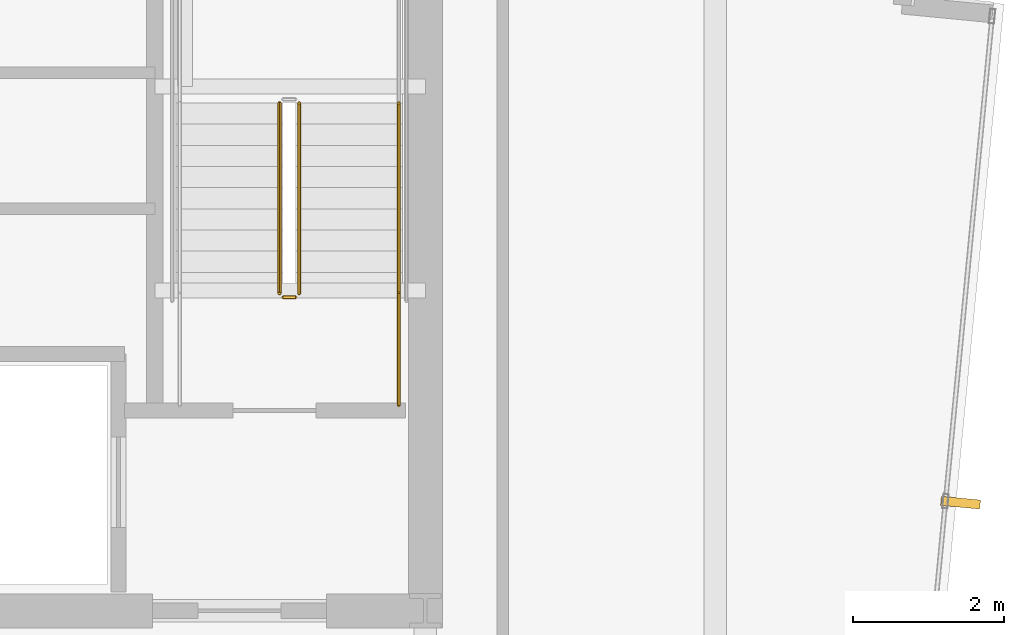
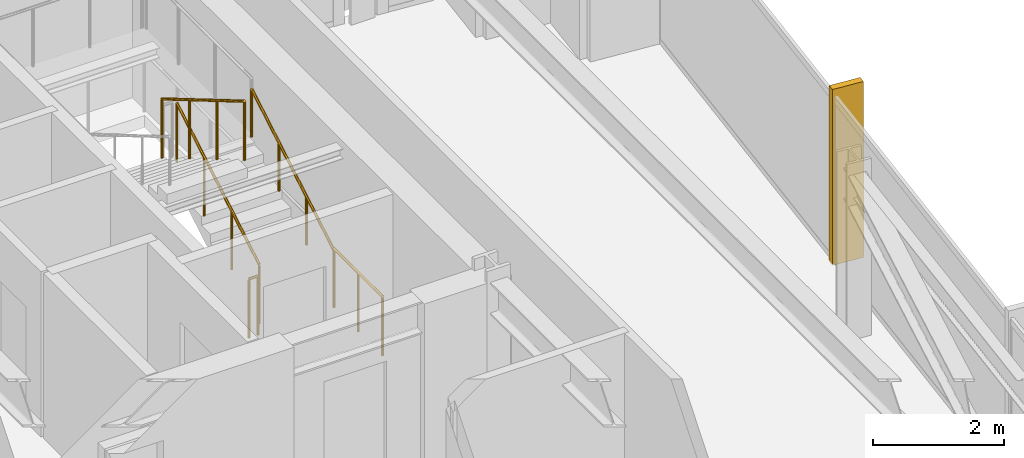
# One storey, part 36 of 38: 5 railings, 1 shading device.
"""IFC4 building model written with IfcOpenShell, lengths in metres."""

from ifc_helpers import new_model, si_unit, direction, frame, origin, origin_2d, place, context, subcontext, project, spatial, rectangle, circle, extrude, material, layer, layer_set, type_object, element, save


model = new_model("IFC4")

# Units and contexts
model_context = context("Model", 3, precision=1e-05, world=origin(), true_north=direction((0.0, 1.0)))
body_context = subcontext(model_context, "Body", "Model", "MODEL_VIEW")
ifc_project = project(units=[si_unit("LENGTHUNIT", "METRE"), si_unit("AREAUNIT", "SQUARE_METRE"), si_unit("VOLUMEUNIT", "CUBIC_METRE"), si_unit("PLANEANGLEUNIT", "RADIAN"), si_unit("MASSUNIT", "GRAM", prefix="KILO")], contexts=[model_context])

# Site, building, storey
site_placement = place(None, origin())
site = spatial("IfcSite", under=ifc_project, at=site_placement, CompositionType="ELEMENT")
building_placement = place(site_placement, origin())
building = spatial("IfcBuilding", under=site, at=building_placement, Name="Yelkora Congress Tower", CompositionType="ELEMENT")
storey_placement = place(building_placement, frame((0.0, 0.0, 155.60009765625)))
storey = spatial("IfcBuildingStorey", under=building, at=storey_placement, Name="L42", CompositionType="ELEMENT", Elevation=155.60009765625)

# Railings
ifc_material_1 = material(Name="Painted galvanised steel stair well guard with vertical infill", Category="steel")
ifc_layer_1 = layer(ifc_material_1, 0.06005859375)
ifc_layer_set_1 = layer_set([ifc_layer_1], Name="Painted galvanised steel stair well guard with vertical infill")
railing_type_1 = type_object("IfcRailingType", Name="RAIL-STAIR-GUARD-1120", PredefinedType="GUARDRAIL", material=ifc_layer_set_1)
railing_1_placement = place(storey_placement, frame((52.090087890625, 39.60009765625, 0.164794921875)))
element("IfcRailing", 1, at=railing_1_placement, inside=storey, type_object=railing_type_1, Name="ST-02 L42 Stair Well Guardrail 1", PredefinedType="GUARDRAIL", context=body_context, shape_type="SweptSolid", body=[
    extrude(circle(Radius=0.02392578125, at=origin_2d()), frame((0.0, 0.0, 1.09619140625), z_axis=(0.0, 0.86152411907, 0.507716645641), x_axis=(-1.0, 0.0, 0.0)), (0.0, 0.0, 1.0), 2.925048828125),
    extrude(circle(Radius=0.02099609375, at=origin_2d()), origin(), (0.0, 0.0, 1.0), 1.072021484375),
    extrude(circle(Radius=0.02099609375, at=origin_2d()), frame((0.0, 0.840087890625, 0.4951171875)), (0.0, 0.0, 1.0), 1.072021484375),
    extrude(circle(Radius=0.02099609375, at=origin_2d()), frame((0.0, 1.679931640625, 0.989990234375)), (0.0, 0.0, 1.0), 1.072021484375),
    extrude(circle(Radius=0.02099609375, at=origin_2d()), frame((0.0, 2.52001953125, 1.485107421875)), (0.0, 0.0, 1.0), 1.072021484375),
])
railing_2_placement = place(storey_placement, frame((51.830078125, 42.1201171875, 1.81494140625)))
element("IfcRailing", 2, at=railing_2_placement, inside=storey, type_object=railing_type_1, Name="ST-02 L42 Stair Well Guardrail 6", PredefinedType="GUARDRAIL", context=body_context, shape_type="SweptSolid", body=[
    extrude(circle(Radius=0.02392578125, at=origin_2d()), frame((0.0, 0.0, 1.09619140625), z_axis=(0.0, -0.861560626758, 0.507654692109), x_axis=(1.0, 0.0, 0.0)), (0.0, 0.0, 1.0), 2.925048828125),
    extrude(circle(Radius=0.02099609375, at=origin_2d()), origin(), (0.0, 0.0, 1.0), 1.072021484375),
    extrude(circle(Radius=0.02099609375, at=origin_2d()), frame((0.0, -0.840087890625, 0.494873046875)), (0.0, 0.0, 1.0), 1.072021484375),
    extrude(circle(Radius=0.02099609375, at=origin_2d()), frame((0.0, -1.679931640625, 0.989990234375)), (0.0, 0.0, 1.0), 1.072021484375),
    extrude(circle(Radius=0.02099609375, at=origin_2d()), frame((0.0, -2.52001953125, 1.48486328125)), (0.0, 0.0, 1.0), 1.072021484375),
])
railing_3_placement = place(storey_placement, frame((52.0400390625, 39.550048828125, 0.0)))
element("IfcRailing", 3, at=railing_3_placement, inside=storey, type_object=railing_type_1, Name="ST-02 L42 Stair Well Guardrail 7", PredefinedType="GUARDRAIL", context=body_context, shape_type="SweptSolid", body=[
    extrude(circle(Radius=0.02392578125, at=origin_2d()), frame((0.0, 0.0, 1.09619140625), z_axis=(-1.0, 0.0, 0.0), x_axis=(0.0, -1.0, 0.0)), (0.0, 0.0, 1.0), 0.16015625),
    extrude(circle(Radius=0.02099609375, at=origin_2d()), origin(), (0.0, 0.0, 1.0), 1.072021484375),
    extrude(circle(Radius=0.02099609375, at=origin_2d()), frame((-0.16015625, 0.0, 0.0)), (0.0, 0.0, 1.0), 1.072021484375),
])
railing_4_placement = place(storey_placement, frame((53.409912109375, 38.1201171875, 0.0)))
element("IfcRailing", 4, at=railing_4_placement, inside=storey, type_object=railing_type_1, Name="ST-02 L42 Stair Well Guardrail 8", PredefinedType="GUARDRAIL", context=body_context, shape_type="SweptSolid", body=[
    extrude(circle(Radius=0.02392578125, at=origin_2d()), frame((0.0, 0.0, 1.09619140625), z_axis=(0.0, 1.0, 0.0), x_axis=(-1.0, 0.0, 0.0)), (0.0, 0.0, 1.0), 1.47998046875),
    extrude(circle(Radius=0.02099609375, at=origin_2d()), origin(), (0.0, 0.0, 1.0), 1.072021484375),
    extrude(circle(Radius=0.02099609375, at=origin_2d()), frame((0.0, 0.739990234375, 0.0)), (0.0, 0.0, 1.0), 1.072021484375),
    extrude(circle(Radius=0.02099609375, at=origin_2d()), frame((0.0, 1.47998046875, 0.0)), (0.0, 0.0, 1.0), 1.072021484375),
])
ifc_material_2 = material(Name="Brushed stainless steel tubular handrail", Category="steel")
ifc_layer_2 = layer(ifc_material_2, 0.050048828125)
ifc_layer_set_2 = layer_set([ifc_layer_2], Name="Brushed stainless steel tubular handrail")
railing_type_2 = type_object("IfcRailingType", Name="RAIL-STAIR-HAND-920", PredefinedType="HANDRAIL", material=ifc_layer_set_2)
railing_5_placement = place(storey_placement, frame((53.409912109375, 39.60009765625, 0.164794921875)))
element("IfcRailing", 5, at=railing_5_placement, inside=storey, type_object=railing_type_2, Name="ST-02 L42 Pitch Handrail 1", PredefinedType="HANDRAIL", context=body_context, shape_type="SweptSolid", body=[
    extrude(circle(Radius=0.02392578125, at=origin_2d()), frame((0.0, 0.0, 0.89599609375), z_axis=(0.0, 0.86152411907, 0.507716645641), x_axis=(-1.0, 0.0, 0.0)), (0.0, 0.0, 1.0), 2.925048828125),
    extrude(circle(Radius=0.02099609375, at=origin_2d()), origin(), (0.0, 0.0, 1.0), 0.871826171875),
    extrude(circle(Radius=0.02099609375, at=origin_2d()), frame((0.0, 0.840087890625, 0.4951171875)), (0.0, 0.0, 1.0), 0.871826171875),
    extrude(circle(Radius=0.02099609375, at=origin_2d()), frame((0.0, 1.679931640625, 0.989990234375)), (0.0, 0.0, 1.0), 0.871826171875),
    extrude(circle(Radius=0.02099609375, at=origin_2d()), frame((0.0, 2.52001953125, 1.485107421875)), (0.0, 0.0, 1.0), 0.871826171875),
])

# Shading device
ifc_material_3 = material(Name="Champagne anodised aluminium", Category="aluminium")
ifc_layer_3 = layer(ifc_material_3, 3.300048828125)
ifc_layer_set_3 = layer_set([ifc_layer_3], Name="Champagne anodised aluminium")
shading_device_type = type_object("IfcShadingDeviceType", Name="SHD-FIN-ALU-520", PredefinedType="USERDEFINED", material=ifc_layer_set_3)
shading_device_placement = place(storey_placement, frame((60.84521484375, 36.83056640625, -0.0302734375), z_axis=(0.0, 0.0, 1.0), x_axis=(-0.09584575252, -0.995396198367, 0.0)))
element("IfcShadingDevice", 6, at=shading_device_placement, inside=storey, type_object=shading_device_type, Name="L42 Vertical Anodised Solar Fin 15-1", ObjectType="FIN", PredefinedType="USERDEFINED", context=body_context, shape_type="SweptSolid", body=[
    extrude(rectangle(XDim=0.1201171875, YDim=0.52001953125, at=origin_2d()), origin(), (0.0, 0.0, 1.0), 3.280029296875),
])

save(model, "model.ifc")
